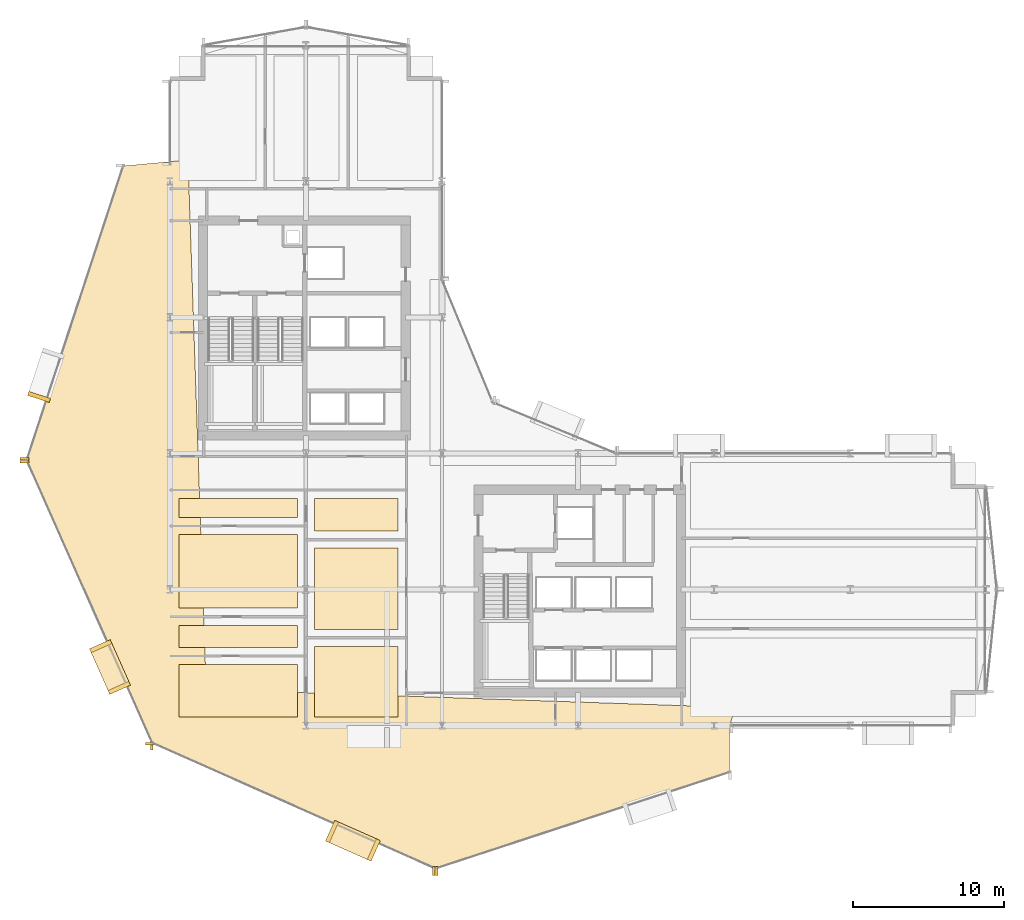
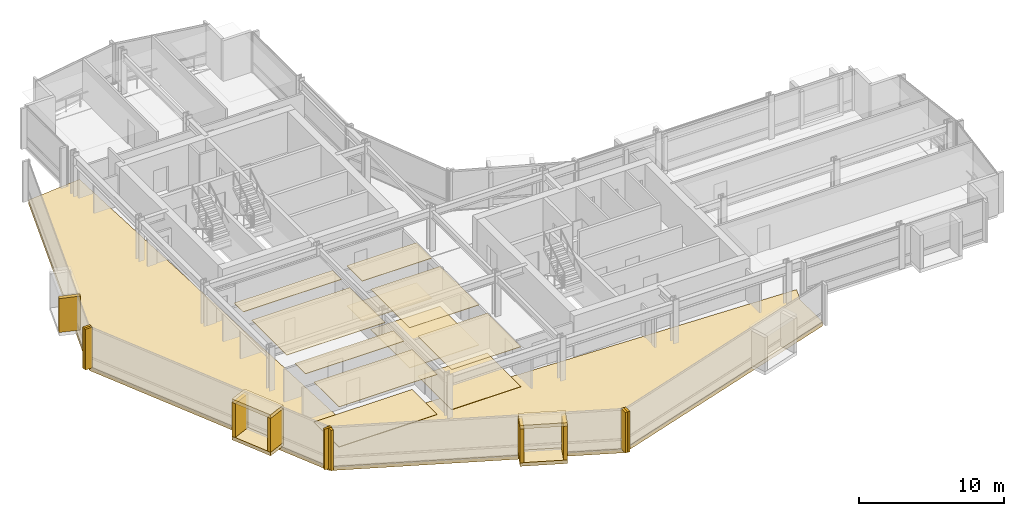
# One storey, part 30 of 34: 27 coverings.
"""IFC4 building model written with IfcOpenShell, lengths in metres."""

from ifc_helpers import new_model, si_unit, direction, frame, origin, origin_2d, place, context, subcontext, project, spatial, polyline, rectangle, outline, extrude, material, layer, layer_set, type_object, element, save


model = new_model("IFC4")

# Units and contexts
model_context = context("Model", 3, precision=1e-05, world=origin(), true_north=direction((0.0, 1.0)))
body_context = subcontext(model_context, "Body", "Model", "MODEL_VIEW")
ifc_project = project(units=[si_unit("LENGTHUNIT", "METRE"), si_unit("AREAUNIT", "SQUARE_METRE"), si_unit("VOLUMEUNIT", "CUBIC_METRE"), si_unit("PLANEANGLEUNIT", "RADIAN"), si_unit("MASSUNIT", "GRAM", prefix="KILO")], contexts=[model_context])

# Site, building, storey
site_placement = place(None, origin())
site = spatial("IfcSite", under=ifc_project, at=site_placement, CompositionType="ELEMENT")
building_placement = place(site_placement, origin())
building = spatial("IfcBuilding", under=site, at=building_placement, Name="Solvaryn Broadcast Tower", CompositionType="ELEMENT")
storey_placement = place(building_placement, frame((0.0, 0.0, 36.0)))
storey = spatial("IfcBuildingStorey", under=building, at=storey_placement, Name="L07", CompositionType="ELEMENT", Elevation=36.0)

# Coverings
ifc_material_1 = material(Name="Micro-Perforated Acoustic Gypsum Ceiling", Category="concrete")
ifc_layer_1 = layer(ifc_material_1, 0.0400390625)
ifc_layer_set_1 = layer_set([ifc_layer_1], Name="CV-CEIL-ACOUSTIC")
covering_type_1 = type_object("IfcCoveringType", Name="CV-CEIL-ACOUSTIC", PredefinedType="CEILING", material=ifc_layer_set_1)
covering_1_placement = place(storey_placement, frame((0.0, 0.0, 3.3798828125)))
element("IfcCovering", 1, at=covering_1_placement, inside=storey, type_object=covering_type_1, Name="L07 Room Acoustic Ceiling 1", PredefinedType="CEILING", context=body_context, shape_type="SweptSolid", body=[
    extrude(outline(polyline([(18.570068359375, 9.570068359375), (24.10009765625, 9.570068359375), (24.10009765625, 14.22998046875), (18.570068359375, 14.22998046875), (18.570068359375, 9.570068359375)])), origin(), (0.0, 0.0, 1.0), 0.0400390625),
])
covering_2_placement = place(storey_placement, frame((0.0, 0.0, 3.3798828125)))
element("IfcCovering", 2, at=covering_2_placement, inside=storey, type_object=covering_type_1, Name="L07 Room Acoustic Ceiling 2", PredefinedType="CEILING", context=body_context, shape_type="SweptSolid", body=[
    extrude(outline(polyline([(18.570068359375, 15.3701171875), (24.10009765625, 15.3701171875), (24.10009765625, 20.72998046875), (18.570068359375, 20.72998046875), (18.570068359375, 15.3701171875)])), origin(), (0.0, 0.0, 1.0), 0.0400390625),
])
covering_3_placement = place(storey_placement, frame((0.0, 0.0, 3.3798828125)))
element("IfcCovering", 3, at=covering_3_placement, inside=storey, type_object=covering_type_1, Name="L07 Room Acoustic Ceiling 3", PredefinedType="CEILING", context=body_context, shape_type="SweptSolid", body=[
    extrude(outline(polyline([(18.570068359375, 21.8701171875), (24.10009765625, 21.8701171875), (24.10009765625, 24.010009765625), (18.570068359375, 24.010009765625), (18.570068359375, 21.8701171875)])), origin(), (0.0, 0.0, 1.0), 0.0400390625),
])
covering_4_placement = place(storey_placement, frame((0.0, 0.0, 3.3798828125)))
element("IfcCovering", 4, at=covering_4_placement, inside=storey, type_object=covering_type_1, Name="L07 Room Acoustic Ceiling 4", PredefinedType="CEILING", context=body_context, shape_type="SweptSolid", body=[
    extrude(outline(polyline([(9.60009765625, 9.570068359375), (17.429931640625, 9.570068359375), (17.429931640625, 13.030029296875), (9.60009765625, 13.030029296875), (9.60009765625, 9.570068359375)])), origin(), (0.0, 0.0, 1.0), 0.0400390625),
])
covering_5_placement = place(storey_placement, frame((0.0, 0.0, 3.3798828125)))
element("IfcCovering", 5, at=covering_5_placement, inside=storey, type_object=covering_type_1, Name="L07 Room Acoustic Ceiling 5", PredefinedType="CEILING", context=body_context, shape_type="SweptSolid", body=[
    extrude(outline(polyline([(9.60009765625, 14.169921875), (17.429931640625, 14.169921875), (17.429931640625, 15.6298828125), (9.60009765625, 15.6298828125), (9.60009765625, 14.169921875)])), origin(), (0.0, 0.0, 1.0), 0.0400390625),
])
covering_6_placement = place(storey_placement, frame((0.0, 0.0, 3.3798828125)))
element("IfcCovering", 6, at=covering_6_placement, inside=storey, type_object=covering_type_1, Name="L07 Room Acoustic Ceiling 6", PredefinedType="CEILING", context=body_context, shape_type="SweptSolid", body=[
    extrude(outline(polyline([(9.60009765625, 16.77001953125), (17.429931640625, 16.77001953125), (17.429931640625, 21.6298828125), (9.60009765625, 21.6298828125), (9.60009765625, 16.77001953125)])), origin(), (0.0, 0.0, 1.0), 0.0400390625),
])
covering_7_placement = place(storey_placement, frame((0.0, 0.0, 3.3798828125)))
element("IfcCovering", 7, at=covering_7_placement, inside=storey, type_object=covering_type_1, Name="L07 Room Acoustic Ceiling 7", PredefinedType="CEILING", context=body_context, shape_type="SweptSolid", body=[
    extrude(outline(polyline([(9.60009765625, 22.77001953125), (17.429931640625, 22.77001953125), (17.429931640625, 24.010009765625), (9.60009765625, 24.010009765625), (9.60009765625, 22.77001953125)])), origin(), (0.0, 0.0, 1.0), 0.0400390625),
])
ifc_material_2 = material(Name="Newsroom Raised Data Access Flooring", Category="steel")
ifc_layer_2 = layer(ifc_material_2, 0.050048828125)
ifc_layer_set_2 = layer_set([ifc_layer_2], Name="CV-FLOOR-RAISED")
covering_type_2 = type_object("IfcCoveringType", Name="CV-FLOOR-RAISED", PredefinedType="FLOORING", material=ifc_layer_set_2)
covering_8_placement = place(storey_placement, origin())
element("IfcCovering", 8, at=covering_8_placement, inside=storey, type_object=covering_type_2, Name="L07 Room Acoustic Floor Finish 1", PredefinedType="FLOORING", context=body_context, shape_type="SweptSolid", body=[
    extrude(outline(polyline([(18.570068359375, 9.570068359375), (24.10009765625, 9.570068359375), (24.10009765625, 14.22998046875), (18.570068359375, 14.22998046875), (18.570068359375, 9.570068359375)])), origin(), (0.0, 0.0, 1.0), 0.050048828125),
])
covering_9_placement = place(storey_placement, origin())
element("IfcCovering", 9, at=covering_9_placement, inside=storey, type_object=covering_type_2, Name="L07 Room Acoustic Floor Finish 2", PredefinedType="FLOORING", context=body_context, shape_type="SweptSolid", body=[
    extrude(outline(polyline([(18.570068359375, 15.3701171875), (24.10009765625, 15.3701171875), (24.10009765625, 20.72998046875), (18.570068359375, 20.72998046875), (18.570068359375, 15.3701171875)])), origin(), (0.0, 0.0, 1.0), 0.050048828125),
])
covering_10_placement = place(storey_placement, origin())
element("IfcCovering", 10, at=covering_10_placement, inside=storey, type_object=covering_type_2, Name="L07 Room Acoustic Floor Finish 3", PredefinedType="FLOORING", context=body_context, shape_type="SweptSolid", body=[
    extrude(outline(polyline([(18.570068359375, 21.8701171875), (24.10009765625, 21.8701171875), (24.10009765625, 24.010009765625), (18.570068359375, 24.010009765625), (18.570068359375, 21.8701171875)])), origin(), (0.0, 0.0, 1.0), 0.050048828125),
])
covering_11_placement = place(storey_placement, origin())
element("IfcCovering", 11, at=covering_11_placement, inside=storey, type_object=covering_type_2, Name="L07 Room Acoustic Floor Finish 4", PredefinedType="FLOORING", context=body_context, shape_type="SweptSolid", body=[
    extrude(outline(polyline([(9.60009765625, 9.570068359375), (17.429931640625, 9.570068359375), (17.429931640625, 13.030029296875), (9.60009765625, 13.030029296875), (9.60009765625, 9.570068359375)])), origin(), (0.0, 0.0, 1.0), 0.050048828125),
])
ifc_material_3 = material(Name="Glazed Architectural Terracotta Rainscreen Cladding", Category="masonry")
ifc_layer_3 = layer(ifc_material_3, 0.280029296875)
ifc_layer_set_3 = layer_set([ifc_layer_3], Name="CV-TC-CLAD")
covering_type_3 = type_object("IfcCoveringType", Name="CV-TC-CLAD", PredefinedType="CLADDING", material=ifc_layer_set_3)
covering_12_placement = place(storey_placement, frame((0.348388671875, 30.73828125, 0.27978515625), z_axis=(0.0, 0.0, 1.0), x_axis=(-0.311671636848, -0.950189870912, 0.0)))
element("IfcCovering", 12, at=covering_12_placement, inside=storey, type_object=covering_type_3, Name="L07 Projecting Stone Window Box Cheek 1-2", PredefinedType="CLADDING", context=body_context, shape_type="SweptSolid", body=[
    extrude(rectangle(XDim=0.280029296875, YDim=1.5, at=origin_2d()), origin(), (0.0, 0.0, 1.0), 2.860107421875),
])
for number, where, z_axis, x_axis, name in (
    (13, (5.035888671875, 12.8720703125, 3.1298828125), (0.0, 0.0, 1.0), (0.405939269498, -0.913900054426, 0.0), "L07 Projecting Stone Window Box Hood 2"),
    (14, (5.035888671875, 12.8720703125, -0.01025390625), (0.0, 0.0, 1.0), (0.405939269498, -0.913900054426, 0.0), "L07 Projecting Stone Window Box Sill 2"),
):
    element("IfcCovering", number, at=place(storey_placement, frame(where, z_axis=z_axis, x_axis=x_axis)), inside=storey, type_object=covering_type_3, Name=name, PredefinedType="CLADDING", context=body_context, shape_type="SweptSolid", body=[
        extrude(rectangle(XDim=3.300048828125, YDim=1.5, at=origin_2d()), origin(), (0.0, 0.0, 1.0), 0.300048828125),
    ])
for number, where, z_axis, x_axis, name in (
    (15, (4.423095703125, 14.251953125, 0.27978515625), (0.0, 0.0, 1.0), (0.405939269498, -0.913900054426, 0.0), "L07 Projecting Stone Window Box Cheek 2-1"),
    (16, (5.64892578125, 11.491943359375, 0.27978515625), (0.0, 0.0, 1.0), (0.405939269498, -0.913900054426, 0.0), "L07 Projecting Stone Window Box Cheek 2-2"),
):
    element("IfcCovering", number, at=place(storey_placement, frame(where, z_axis=z_axis, x_axis=x_axis)), inside=storey, type_object=covering_type_3, Name=name, PredefinedType="CLADDING", context=body_context, shape_type="SweptSolid", body=[
        extrude(rectangle(XDim=0.280029296875, YDim=1.5, at=origin_2d()), origin(), (0.0, 0.0, 1.0), 2.860107421875),
    ])
for number, where, z_axis, x_axis, name in (
    (17, (21.10498046875, 1.37890625, 3.1298828125), (0.0, 0.0, 1.0), (0.913900054426, -0.405939269498, 0.0), "L07 Projecting Stone Window Box Hood 3"),
    (18, (21.10498046875, 1.37890625, -0.01025390625), (0.0, 0.0, 1.0), (0.913900054426, -0.405939269498, 0.0), "L07 Projecting Stone Window Box Sill 3"),
):
    element("IfcCovering", number, at=place(storey_placement, frame(where, z_axis=z_axis, x_axis=x_axis)), inside=storey, type_object=covering_type_3, Name=name, PredefinedType="CLADDING", context=body_context, shape_type="SweptSolid", body=[
        extrude(rectangle(XDim=3.300048828125, YDim=1.5, at=origin_2d()), origin(), (0.0, 0.0, 1.0), 0.300048828125),
    ])
for number, where, z_axis, x_axis, name in (
    (19, (19.72509765625, 1.991943359375, 0.27978515625), (0.0, 0.0, 1.0), (0.913900054426, -0.405939269498, 0.0), "L07 Projecting Stone Window Box Cheek 3-1"),
    (20, (22.485107421875, 0.76611328125, 0.27978515625), (0.0, 0.0, 1.0), (0.913900054426, -0.405939269498, 0.0), "L07 Projecting Stone Window Box Cheek 3-2"),
):
    element("IfcCovering", number, at=place(storey_placement, frame(where, z_axis=z_axis, x_axis=x_axis)), inside=storey, type_object=covering_type_3, Name=name, PredefinedType="CLADDING", context=body_context, shape_type="SweptSolid", body=[
        extrude(rectangle(XDim=0.280029296875, YDim=1.5, at=origin_2d()), origin(), (0.0, 0.0, 1.0), 2.860107421875),
    ])
ifc_material_4 = material(Name="Extruded Architectural Terracotta Fin", Category="masonry")
ifc_layer_4 = layer(ifc_material_4, 0.179931640625)
ifc_layer_set_4 = layer_set([ifc_layer_4], Name="CV-TC-FIN")
covering_type_4 = type_object("IfcCoveringType", Name="CV-TC-FIN", PredefinedType="USERDEFINED", material=ifc_layer_set_4)
for number, where, z_axis, x_axis, name in (
    (21, (-0.625732421875, 26.644775390625, 0.0), (0.0, 0.0, 1.0), (1.0, 0.0, 0.0), "L07 Terracotta Vertical Fin FIN-L07-DR1-M01"),
    (22, (-0.6162109375, 26.459716796875, 0.0), (0.0, 0.0, 1.0), (1.0, 0.0, 0.0), "L07 Terracotta Vertical Fin FIN-L07-DR2-M00"),
    (23, (7.670654296875, 7.8017578125, 0.0), (0.0, 0.0, 1.0), (1.0, 0.0, 0.0), "L07 Terracotta Vertical Fin FIN-L07-DR2-M01"),
):
    element("IfcCovering", number, at=place(storey_placement, frame(where, z_axis=z_axis, x_axis=x_axis)), inside=storey, type_object=covering_type_4, Name=name, ObjectType="FIN", PredefinedType="USERDEFINED", context=body_context, shape_type="SweptSolid", body=[
        extrude(rectangle(XDim=0.580078125, YDim=0.179931640625, at=origin_2d()), origin(), (0.0, 0.0, 1.0), 3.419921875),
    ])
for number, where, z_axis, x_axis, name in (
    (24, (7.8017578125, 7.670654296875, 0.0), (0.0, 0.0, 1.0), (1.0, 0.0, 0.0), "L07 Terracotta Vertical Fin FIN-L07-DR3-M00"),
    (25, (26.459716796875, -0.6162109375, 0.0), (0.0, 0.0, 1.0), (1.0, 0.0, 0.0), "L07 Terracotta Vertical Fin FIN-L07-DR3-M01"),
    (26, (26.644775390625, -0.625732421875, 0.0), (0.0, 0.0, 1.0), (1.0, 0.0, 0.0), "L07 Terracotta Vertical Fin FIN-L07-DR4-M00"),
):
    element("IfcCovering", number, at=place(storey_placement, frame(where, z_axis=z_axis, x_axis=x_axis)), inside=storey, type_object=covering_type_4, Name=name, ObjectType="FIN", PredefinedType="USERDEFINED", context=body_context, shape_type="SweptSolid", body=[
        extrude(rectangle(XDim=0.179931640625, YDim=0.580078125, at=origin_2d()), origin(), (0.0, 0.0, 1.0), 3.419921875),
    ])
ifc_material_5 = material(Name="Sculpted Architectural Terracotta Wave Fascia", Category="masonry")
ifc_layer_5 = layer(ifc_material_5, 0.340087890625)
ifc_layer_set_5 = layer_set([ifc_layer_5], Name="CV-WAVE-TRAY")
covering_type_5 = type_object("IfcCoveringType", Name="CV-WAVE-TRAY", PredefinedType="CLADDING", material=ifc_layer_set_5)
covering_13_placement = place(storey_placement, frame((0.0, 0.0, -0.300048828125)))
element("IfcCovering", 27, at=covering_13_placement, inside=storey, type_object=covering_type_5, Name="L07 Stepped Cylindrical Drum Floor Apron", PredefinedType="CLADDING", context=body_context, shape_type="SweptSolid", body=[
    extrude(outline(polyline([(10.199951171875, 46.416015625), (5.916015625, 46.01611328125), (-0.464111328125, 26.56005859375), (7.846923828125, 7.846923828125), (26.56005859375, -0.464111328125), (46.01611328125, 5.916015625), (46.01611328125, 9.0), (46.416015625, 10.199951171875), (11.39990234375, 11.39990234375), (10.199951171875, 46.416015625)])), origin(), (0.0, 0.0, 1.0), 0.330078125),
])

save(model, "model.ifc")
